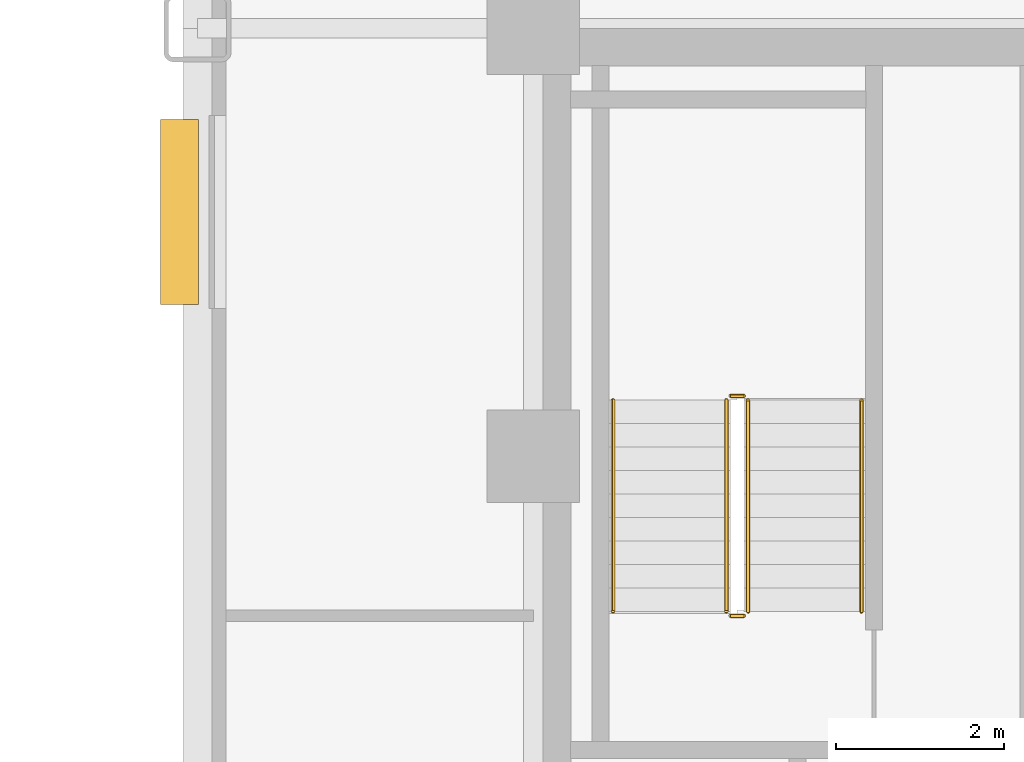
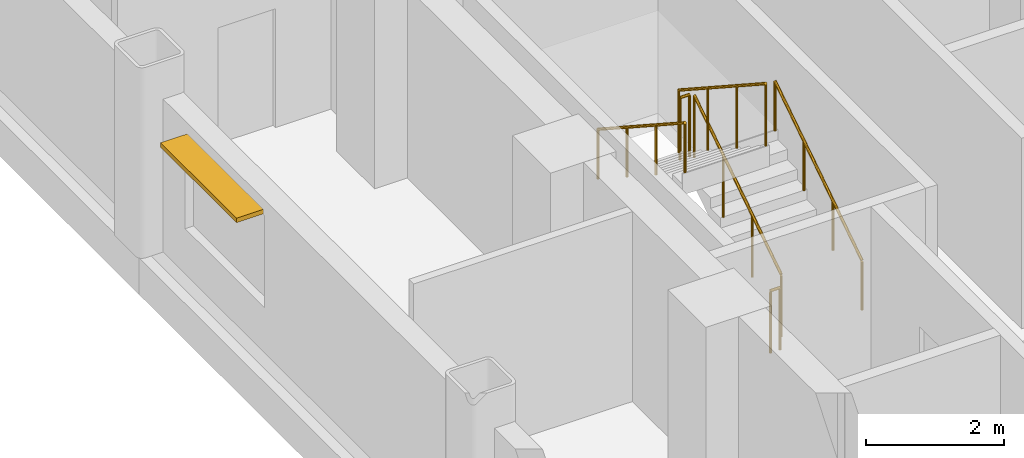
# One storey, part 12 of 14: 6 railings, 1 shading device.
"""IFC4 building model written with IfcOpenShell, lengths in metres."""

from ifc_helpers import new_model, si_unit, direction, frame, origin, origin_2d, place, context, subcontext, project, spatial, rectangle, circle, extrude, source, transform, mapped, material, type_object, type_shapes, element, save


model = new_model("IFC4")

# Units and contexts
model_context = context("Model", 3, precision=1e-05, world=origin(), true_north=direction((0.0, 1.0)))
body_context = subcontext(model_context, "Body", "Model", "MODEL_VIEW")
ifc_project = project(units=[si_unit("LENGTHUNIT", "METRE"), si_unit("AREAUNIT", "SQUARE_METRE"), si_unit("VOLUMEUNIT", "CUBIC_METRE"), si_unit("PLANEANGLEUNIT", "RADIAN"), si_unit("MASSUNIT", "GRAM", prefix="KILO")], contexts=[model_context])

# Site, building, storey
site_placement = place(None, origin())
site = spatial("IfcSite", under=ifc_project, at=site_placement, CompositionType="ELEMENT")
building_placement = place(site_placement, origin())
building = spatial("IfcBuilding", under=site, at=building_placement, Name="Nuvemarco Arch Tower", CompositionType="ELEMENT")
storey_placement = place(building_placement, frame((0.0, 0.0, 64.10009765625)))
storey = spatial("IfcBuildingStorey", under=building, at=storey_placement, Name="L16", CompositionType="ELEMENT", Elevation=64.10009765625)

# Railings
ifc_material_1 = material(Name="Brushed stainless steel handrail", Category="steel")
railing_type_1 = type_object("IfcRailingType", Name="RL-HANDRAIL-900", PredefinedType="HANDRAIL", material=ifc_material_1)
railing_1_placement = place(storey_placement, frame((-13.590087890625, 2.64990234375, 0.182373046875)))
element("IfcRailing", 1, at=railing_1_placement, inside=storey, type_object=railing_type_1, Name="L16 ST-1 stair handrail 1", PredefinedType="HANDRAIL", context=body_context, shape_type="SweptSolid", body=[
    extrude(circle(Radius=0.02392578125, at=origin_2d()), frame((0.0, 0.0, 0.8759765625), z_axis=(0.0, 0.837749427056, 0.546054848405), x_axis=(-1.0, 0.0, 0.0)), (0.0, 0.0, 1.0), 3.008056640625),
    extrude(circle(Radius=0.02099609375, at=origin_2d()), origin(), (0.0, 0.0, 1.0), 0.851806640625),
    extrude(circle(Radius=0.02099609375, at=origin_2d()), frame((0.0, 0.840087890625, 0.547607421875)), (0.0, 0.0, 1.0), 0.851806640625),
    extrude(circle(Radius=0.02099609375, at=origin_2d()), frame((0.0, 1.679931640625, 1.094970703125)), (0.0, 0.0, 1.0), 0.851806640625),
    extrude(circle(Radius=0.02099609375, at=origin_2d()), frame((0.0, 2.52001953125, 1.642578125)), (0.0, 0.0, 1.0), 0.851806640625),
])
railing_2_placement = place(storey_placement, frame((-16.550048828125, 5.169921875, 2.00732421875)))
element("IfcRailing", 2, at=railing_2_placement, inside=storey, type_object=railing_type_1, Name="L16 ST-1 stair handrail 2", PredefinedType="HANDRAIL", context=body_context, shape_type="SweptSolid", body=[
    extrude(circle(Radius=0.02392578125, at=origin_2d()), frame((0.0, 0.0, 0.8759765625), z_axis=(0.0, -0.837749427056, 0.546054848405), x_axis=(1.0, 0.0, 0.0)), (0.0, 0.0, 1.0), 3.008056640625),
    extrude(circle(Radius=0.02099609375, at=origin_2d()), origin(), (0.0, 0.0, 1.0), 0.851806640625),
    extrude(circle(Radius=0.02099609375, at=origin_2d()), frame((0.0, -0.840087890625, 0.547607421875)), (0.0, 0.0, 1.0), 0.851806640625),
    extrude(circle(Radius=0.02099609375, at=origin_2d()), frame((0.0, -1.679931640625, 1.094970703125)), (0.0, 0.0, 1.0), 0.851806640625),
    extrude(circle(Radius=0.02099609375, at=origin_2d()), frame((0.0, -2.52001953125, 1.642578125)), (0.0, 0.0, 1.0), 0.851806640625),
])
ifc_material_2 = material(Name="Painted balustrade steel S355", Category="steel")
railing_type_2 = type_object("IfcRailingType", Name="RL-STAIR-GUARD", PredefinedType="GUARDRAIL", material=ifc_material_2)
railing_3_placement = place(storey_placement, frame((-14.93994140625, 2.64990234375, 0.182373046875)))
element("IfcRailing", 3, at=railing_3_placement, inside=storey, type_object=railing_type_2, Name="L16 ST-1 stair guard 1", PredefinedType="GUARDRAIL", context=body_context, shape_type="SweptSolid", body=[
    extrude(circle(Radius=0.02392578125, at=origin_2d()), frame((0.0, 0.0, 1.09619140625), z_axis=(0.0, 0.837749427056, 0.546054848405), x_axis=(-1.0, 0.0, 0.0)), (0.0, 0.0, 1.0), 3.008056640625),
    extrude(circle(Radius=0.02099609375, at=origin_2d()), origin(), (0.0, 0.0, 1.0), 1.072021484375),
    extrude(circle(Radius=0.02099609375, at=origin_2d()), frame((0.0, 0.840087890625, 0.547607421875)), (0.0, 0.0, 1.0), 1.072021484375),
    extrude(circle(Radius=0.02099609375, at=origin_2d()), frame((0.0, 1.679931640625, 1.094970703125)), (0.0, 0.0, 1.0), 1.072021484375),
    extrude(circle(Radius=0.02099609375, at=origin_2d()), frame((0.0, 2.52001953125, 1.642578125)), (0.0, 0.0, 1.0), 1.072021484375),
])
railing_4_placement = place(storey_placement, frame((-14.989990234375, 5.219970703125, 1.824951171875)))
element("IfcRailing", 4, at=railing_4_placement, inside=storey, type_object=railing_type_2, Name="L16 ST-1 stair guard 2", PredefinedType="GUARDRAIL", context=body_context, shape_type="SweptSolid", body=[
    extrude(circle(Radius=0.02392578125, at=origin_2d()), frame((0.0, 0.0, 1.09619140625), z_axis=(-1.0, 0.0, 0.0), x_axis=(0.0, -1.0, 0.0)), (0.0, 0.0, 1.0), 0.159912109375),
    extrude(circle(Radius=0.02099609375, at=origin_2d()), origin(), (0.0, 0.0, 1.0), 1.072021484375),
    extrude(circle(Radius=0.02099609375, at=origin_2d()), frame((-0.159912109375, 0.0, 0.0)), (0.0, 0.0, 1.0), 1.072021484375),
])
railing_5_placement = place(storey_placement, frame((-15.199951171875, 5.169921875, 2.00732421875)))
element("IfcRailing", 5, at=railing_5_placement, inside=storey, type_object=railing_type_2, Name="L16 ST-1 stair guard 3", PredefinedType="GUARDRAIL", context=body_context, shape_type="SweptSolid", body=[
    extrude(circle(Radius=0.02392578125, at=origin_2d()), frame((0.0, 0.0, 1.09619140625), z_axis=(0.0, -0.837749427056, 0.546054848405), x_axis=(1.0, 0.0, 0.0)), (0.0, 0.0, 1.0), 3.008056640625),
    extrude(circle(Radius=0.02099609375, at=origin_2d()), origin(), (0.0, 0.0, 1.0), 1.072021484375),
    extrude(circle(Radius=0.02099609375, at=origin_2d()), frame((0.0, -0.840087890625, 0.547607421875)), (0.0, 0.0, 1.0), 1.072021484375),
    extrude(circle(Radius=0.02099609375, at=origin_2d()), frame((0.0, -1.679931640625, 1.094970703125)), (0.0, 0.0, 1.0), 1.072021484375),
    extrude(circle(Radius=0.02099609375, at=origin_2d()), frame((0.0, -2.52001953125, 1.642578125)), (0.0, 0.0, 1.0), 1.072021484375),
])
railing_6_placement = place(storey_placement, frame((-14.989990234375, 2.60009765625, 0.0)))
element("IfcRailing", 6, at=railing_6_placement, inside=storey, type_object=railing_type_2, Name="L16 ST-1 stair guard 4", PredefinedType="GUARDRAIL", context=body_context, shape_type="SweptSolid", body=[
    extrude(circle(Radius=0.02392578125, at=origin_2d()), frame((0.0, 0.0, 1.09619140625), z_axis=(-1.0, 0.0, 0.0), x_axis=(0.0, -1.0, 0.0)), (0.0, 0.0, 1.0), 0.159912109375),
    extrude(circle(Radius=0.02099609375, at=origin_2d()), origin(), (0.0, 0.0, 1.0), 1.072021484375),
    extrude(circle(Radius=0.02099609375, at=origin_2d()), frame((-0.159912109375, 0.0, 0.0)), (0.0, 0.0, 1.0), 1.072021484375),
])

# Shading device
ifc_material_3 = material(Name="Anodised aluminium 6063-T6", Category="aluminium")
shading_device_type = type_object("IfcShadingDeviceType", Name="SHD-BRISE-SOLEIL", PredefinedType="USERDEFINED", material=ifc_material_3)
shared_shape = source(origin(), body_context, "Body", "SweptSolid", [
    extrude(rectangle(XDim=2.199951171875, YDim=0.449951171875, at=origin_2d()), origin(), (0.0, 0.0, 1.0), 0.080078125),
])
type_shapes(shading_device_type, [shared_shape])
shading_device_placement = place(storey_placement, frame((-21.715087890625, 7.41162109375, 2.4248046875), z_axis=(0.0, 0.0, 1.0), x_axis=(0.0, 1.0, 0.0)))
element("IfcShadingDevice", 7, at=shading_device_placement, inside=storey, type_object=shading_device_type, Name="L16 horizontal brise-soleil sunshade", ObjectType="SUNSHADE", PredefinedType="USERDEFINED", context=body_context, shape_type="MappedRepresentation", body=[
    mapped(shared_shape, transform((0.0, 0.0, 0.0), scale=1.0)),
])

save(model, "model.ifc")
